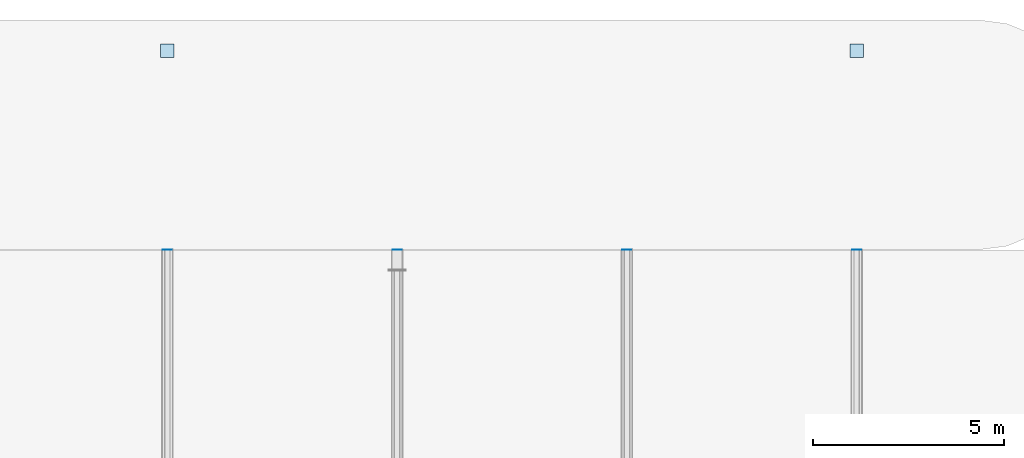
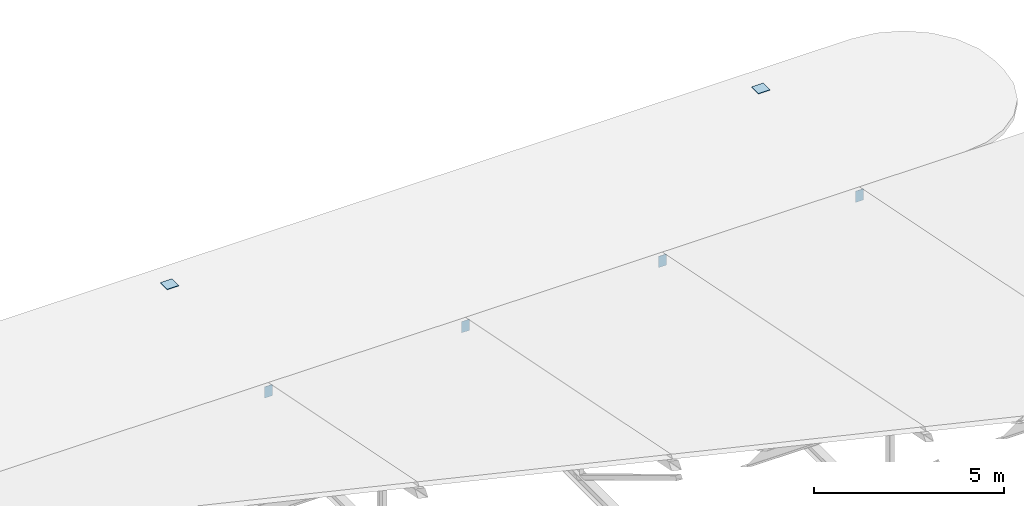
# One storey, part 57 of 83: 6 plates.
"""IFC4 building model written with IfcOpenShell, lengths in metres."""

from ifc_helpers import new_model, si_unit, direction, frame, origin, origin_2d, place, context, subcontext, project, spatial, rectangle, extrude, material, layer, layer_set, type_object, element, save


model = new_model("IFC4")

# Units and contexts
model_context = context("Model", 3, precision=1e-05, world=origin(), true_north=direction((0.0, 1.0)))
body_context = subcontext(model_context, "Body", "Model", "MODEL_VIEW")
ifc_project = project(units=[si_unit("LENGTHUNIT", "METRE"), si_unit("AREAUNIT", "SQUARE_METRE"), si_unit("VOLUMEUNIT", "CUBIC_METRE"), si_unit("PLANEANGLEUNIT", "RADIAN"), si_unit("MASSUNIT", "GRAM", prefix="KILO")], contexts=[model_context])

# Site, building, storey
site_placement = place(None, origin())
site = spatial("IfcSite", under=ifc_project, at=site_placement, CompositionType="ELEMENT")
building_placement = place(site_placement, origin())
building = spatial("IfcBuilding", under=site, at=building_placement, Name="Varnakota Square Police Headquarters", CompositionType="ELEMENT")
storey_placement = place(building_placement, frame((0.0, 0.0, 18.0)))
storey = spatial("IfcBuildingStorey", under=building, at=storey_placement, Name="L04", CompositionType="ELEMENT", Elevation=18.0)

# Plates
ifc_material = material(Name="Steel IS 2062 Grade 350", Category="steel")
ifc_layer_1 = layer(ifc_material, 0.02001953125, Name="Steel IS 2062 Grade 350")
ifc_layer_set_1 = layer_set([ifc_layer_1], Name="Steel IS 2062 Grade 350")
plate_type_1 = type_object("IfcPlateType", Name="PL-CAP-20", PredefinedType="SHEET", material=ifc_layer_set_1)
for number, where, z_axis, x_axis, name in (
    (1, (30.0, 110.199951171875, -0.001953125), (0.0, 0.0, 1.0), (1.0, 0.0, 0.0), "Hollow column top cap plate CP-COL-X0300-Y1102"),
    (2, (48.0, 110.199951171875, -0.001953125), (0.0, 0.0, 1.0), (1.0, 0.0, 0.0), "Hollow column top cap plate CP-COL-X0480-Y1102"),
):
    element("IfcPlate", number, at=place(storey_placement, frame(where, z_axis=z_axis, x_axis=x_axis)), inside=storey, type_object=plate_type_1, Name=name, PredefinedType="SHEET", context=body_context, shape_type="SweptSolid", body=[
        extrude(rectangle(XDim=0.35400390625, YDim=0.35400390625, at=origin_2d()), origin(), (0.0, 0.0, 1.0), 0.02001953125),
    ])
ifc_layer_2 = layer(ifc_material, 0.011962890625, Name="Steel IS 2062 Grade 350")
ifc_layer_set_2 = layer_set([ifc_layer_2], Name="Steel IS 2062 Grade 350")
plate_type_2 = type_object("IfcPlateType", Name="PL-END-12", PredefinedType="SHEET", material=ifc_layer_set_2)
for number, where, z_axis, x_axis, name in (
    (3, (30.0, 105.0, -0.4599609375), (0.0, 0.0, 1.0), (1.0, 0.0, 0.0), "Hollow chord end-cap plate EP-008"),
    (4, (36.0, 105.0, -0.4599609375), (0.0, 0.0, 1.0), (1.0, 0.0, 0.0), "Hollow chord end-cap plate EP-010"),
    (5, (42.0, 105.0, -0.4599609375), (0.0, 0.0, 1.0), (1.0, 0.0, 0.0), "Hollow chord end-cap plate EP-012"),
    (6, (48.0, 105.0, -0.4599609375), (0.0, 0.0, 1.0), (1.0, 0.0, 0.0), "Hollow chord end-cap plate EP-014"),
):
    element("IfcPlate", number, at=place(storey_placement, frame(where, z_axis=z_axis, x_axis=x_axis)), inside=storey, type_object=plate_type_2, Name=name, PredefinedType="SHEET", context=body_context, shape_type="SweptSolid", body=[
        extrude(rectangle(XDim=0.239990234375, YDim=0.011962890625, at=origin_2d()), origin(), (0.0, 0.0, 1.0), 0.360107421875),
    ])

save(model, "model.ifc")
